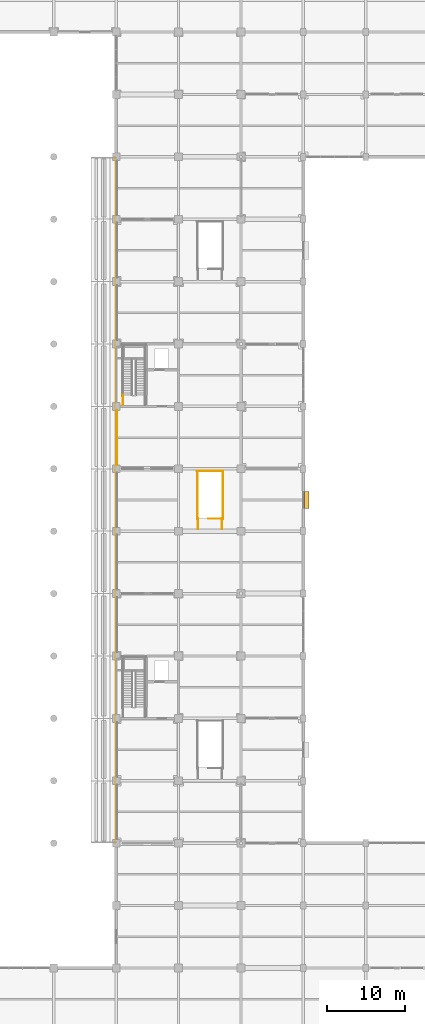
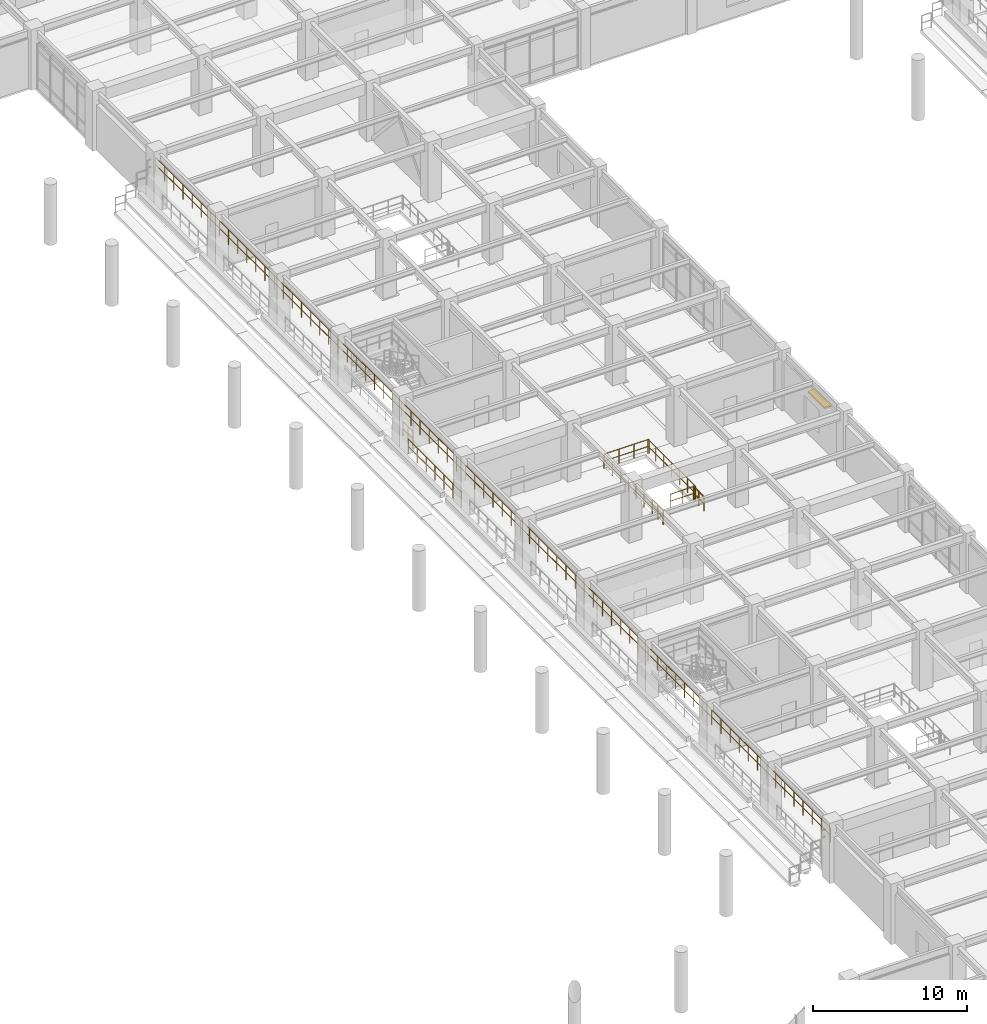
# One storey, part 109 of 117: 9 railings, 1 shading device.
"""IFC4 building model written with IfcOpenShell, lengths in metres."""

from ifc_helpers import new_model, si_unit, direction, frame, origin, origin_2d, place, context, subcontext, project, spatial, rectangle, circle, extrude, material, layer, layer_set, type_object, element, save


model = new_model("IFC4")

# Units and contexts
model_context = context("Model", 3, precision=1e-05, world=origin(), true_north=direction((0.0, 1.0)))
body_context = subcontext(model_context, "Body", "Model", "MODEL_VIEW")
ifc_project = project(units=[si_unit("LENGTHUNIT", "METRE"), si_unit("AREAUNIT", "SQUARE_METRE"), si_unit("VOLUMEUNIT", "CUBIC_METRE"), si_unit("PLANEANGLEUNIT", "RADIAN"), si_unit("MASSUNIT", "GRAM", prefix="KILO")], contexts=[model_context])

# Site, building, storey
site_placement = place(None, origin())
site = spatial("IfcSite", under=ifc_project, at=site_placement, CompositionType="ELEMENT")
building_placement = place(site_placement, origin())
building = spatial("IfcBuilding", under=site, at=building_placement, Name="Haebicheon Civic Stadium", CompositionType="ELEMENT")
storey_placement = place(building_placement, frame((0.0, 0.0, 4.800048828125)))
storey = spatial("IfcBuildingStorey", under=building, at=storey_placement, Name="L02", CompositionType="ELEMENT", Elevation=4.800048828125)

# Railings
ifc_material_1 = material(Name="Stainless steel 316 and laminated glass", Category="steel")
railing_type_1 = type_object("IfcRailingType", Name="RL-BAL-1200", PredefinedType="BALUSTRADE", material=ifc_material_1)
railing_1_placement = place(storey_placement, frame((144.139892578125, 96.5, 0.0)))
element("IfcRailing", 1, at=railing_1_placement, inside=storey, type_object=railing_type_1, material=ifc_material_1, Name="L02 concourse bowl-edge balustrade 029", PredefinedType="BALUSTRADE", context=body_context, shape_type="SweptSolid", body=[
    extrude(circle(Radius=0.02392578125, at=origin_2d()), frame((0.0, 0.0, 1.17578125), z_axis=(0.0, 1.0, 0.0), x_axis=(-1.0, 0.0, 0.0)), (0.0, 0.0, 1.0), 7.0),
    extrude(circle(Radius=0.02392578125, at=origin_2d()), frame((0.0, 0.0, 0.60009765625), z_axis=(0.0, 1.0, 0.0), x_axis=(-1.0, 0.0, 0.0)), (0.0, 0.0, 1.0), 7.0),
    extrude(circle(Radius=0.02099609375, at=origin_2d()), origin(), (0.0, 0.0, 1.0), 1.15185546875),
    extrude(circle(Radius=0.02099609375, at=origin_2d()), frame((0.0, 1.166748046875, 0.0)), (0.0, 0.0, 1.0), 1.15185546875),
    extrude(circle(Radius=0.02099609375, at=origin_2d()), frame((0.0, 2.333251953125, 0.0)), (0.0, 0.0, 1.0), 1.15185546875),
    extrude(circle(Radius=0.02099609375, at=origin_2d()), frame((0.0, 3.5, 0.0)), (0.0, 0.0, 1.0), 1.15185546875),
    extrude(circle(Radius=0.02099609375, at=origin_2d()), frame((0.0, 4.666748046875, 0.0)), (0.0, 0.0, 1.0), 1.15185546875),
    extrude(circle(Radius=0.02099609375, at=origin_2d()), frame((0.0, 5.833251953125, 0.0)), (0.0, 0.0, 1.0), 1.15185546875),
    extrude(circle(Radius=0.02099609375, at=origin_2d()), frame((0.0, 7.0, 0.0)), (0.0, 0.0, 1.0), 1.15185546875),
])
railing_2_placement = place(storey_placement, frame((143.8798828125, 48.06005859375, 2.800048828125)))
element("IfcRailing", 2, at=railing_2_placement, inside=storey, type_object=railing_type_1, material=ifc_material_1, Name="TIER-E-L upper gangway balustrade", PredefinedType="BALUSTRADE", context=body_context, shape_type="SweptSolid", body=[
    extrude(circle(Radius=0.02392578125, at=origin_2d()), frame((0.0, 0.0, 1.17578125), z_axis=(0.0, 1.0, 0.0), x_axis=(-1.0, 0.0, 0.0)), (0.0, 0.0, 1.0), 87.8798828125),
    extrude(circle(Radius=0.02392578125, at=origin_2d()), frame((0.0, 0.0, 0.60009765625), z_axis=(0.0, 1.0, 0.0), x_axis=(-1.0, 0.0, 0.0)), (0.0, 0.0, 1.0), 87.8798828125),
    extrude(circle(Radius=0.02099609375, at=origin_2d()), origin(), (0.0, 0.0, 1.0), 1.15185546875),
    extrude(circle(Radius=0.02099609375, at=origin_2d()), frame((0.0, 1.1875, 0.0)), (0.0, 0.0, 1.0), 1.15185546875),
    extrude(circle(Radius=0.02099609375, at=origin_2d()), frame((0.0, 2.375244140625, 0.0)), (0.0, 0.0, 1.0), 1.15185546875),
    extrude(circle(Radius=0.02099609375, at=origin_2d()), frame((0.0, 3.562744140625, 0.0)), (0.0, 0.0, 1.0), 1.15185546875),
    extrude(circle(Radius=0.02099609375, at=origin_2d()), frame((0.0, 4.750244140625, 0.0)), (0.0, 0.0, 1.0), 1.15185546875),
    extrude(circle(Radius=0.02099609375, at=origin_2d()), frame((0.0, 5.937744140625, 0.0)), (0.0, 0.0, 1.0), 1.15185546875),
    extrude(circle(Radius=0.02099609375, at=origin_2d()), frame((0.0, 7.12548828125, 0.0)), (0.0, 0.0, 1.0), 1.15185546875),
    extrude(circle(Radius=0.02099609375, at=origin_2d()), frame((0.0, 8.31298828125, 0.0)), (0.0, 0.0, 1.0), 1.15185546875),
    extrude(circle(Radius=0.02099609375, at=origin_2d()), frame((0.0, 9.50048828125, 0.0)), (0.0, 0.0, 1.0), 1.15185546875),
    extrude(circle(Radius=0.02099609375, at=origin_2d()), frame((0.0, 10.68798828125, 0.0)), (0.0, 0.0, 1.0), 1.15185546875),
    extrude(circle(Radius=0.02099609375, at=origin_2d()), frame((0.0, 11.875732421875, 0.0)), (0.0, 0.0, 1.0), 1.15185546875),
    extrude(circle(Radius=0.02099609375, at=origin_2d()), frame((0.0, 13.063232421875, 0.0)), (0.0, 0.0, 1.0), 1.15185546875),
    extrude(circle(Radius=0.02099609375, at=origin_2d()), frame((0.0, 14.250732421875, 0.0)), (0.0, 0.0, 1.0), 1.15185546875),
    extrude(circle(Radius=0.02099609375, at=origin_2d()), frame((0.0, 15.4384765625, 0.0)), (0.0, 0.0, 1.0), 1.15185546875),
    extrude(circle(Radius=0.02099609375, at=origin_2d()), frame((0.0, 16.6259765625, 0.0)), (0.0, 0.0, 1.0), 1.15185546875),
    extrude(circle(Radius=0.02099609375, at=origin_2d()), frame((0.0, 17.8134765625, 0.0)), (0.0, 0.0, 1.0), 1.15185546875),
    extrude(circle(Radius=0.02099609375, at=origin_2d()), frame((0.0, 19.0009765625, 0.0)), (0.0, 0.0, 1.0), 1.15185546875),
    extrude(circle(Radius=0.02099609375, at=origin_2d()), frame((0.0, 20.188720703125, 0.0)), (0.0, 0.0, 1.0), 1.15185546875),
    extrude(circle(Radius=0.02099609375, at=origin_2d()), frame((0.0, 21.376220703125, 0.0)), (0.0, 0.0, 1.0), 1.15185546875),
    extrude(circle(Radius=0.02099609375, at=origin_2d()), frame((0.0, 22.563720703125, 0.0)), (0.0, 0.0, 1.0), 1.15185546875),
    extrude(circle(Radius=0.02099609375, at=origin_2d()), frame((0.0, 23.751220703125, 0.0)), (0.0, 0.0, 1.0), 1.15185546875),
    extrude(circle(Radius=0.02099609375, at=origin_2d()), frame((0.0, 24.93896484375, 0.0)), (0.0, 0.0, 1.0), 1.15185546875),
    extrude(circle(Radius=0.02099609375, at=origin_2d()), frame((0.0, 26.12646484375, 0.0)), (0.0, 0.0, 1.0), 1.15185546875),
    extrude(circle(Radius=0.02099609375, at=origin_2d()), frame((0.0, 27.31396484375, 0.0)), (0.0, 0.0, 1.0), 1.15185546875),
    extrude(circle(Radius=0.02099609375, at=origin_2d()), frame((0.0, 28.50146484375, 0.0)), (0.0, 0.0, 1.0), 1.15185546875),
    extrude(circle(Radius=0.02099609375, at=origin_2d()), frame((0.0, 29.689208984375, 0.0)), (0.0, 0.0, 1.0), 1.15185546875),
    extrude(circle(Radius=0.02099609375, at=origin_2d()), frame((0.0, 30.876708984375, 0.0)), (0.0, 0.0, 1.0), 1.15185546875),
    extrude(circle(Radius=0.02099609375, at=origin_2d()), frame((0.0, 32.064208984375, 0.0)), (0.0, 0.0, 1.0), 1.15185546875),
    extrude(circle(Radius=0.02099609375, at=origin_2d()), frame((0.0, 33.251953125, 0.0)), (0.0, 0.0, 1.0), 1.15185546875),
    extrude(circle(Radius=0.02099609375, at=origin_2d()), frame((0.0, 34.439453125, 0.0)), (0.0, 0.0, 1.0), 1.15185546875),
    extrude(circle(Radius=0.02099609375, at=origin_2d()), frame((0.0, 35.626953125, 0.0)), (0.0, 0.0, 1.0), 1.15185546875),
    extrude(circle(Radius=0.02099609375, at=origin_2d()), frame((0.0, 36.814453125, 0.0)), (0.0, 0.0, 1.0), 1.15185546875),
    extrude(circle(Radius=0.02099609375, at=origin_2d()), frame((0.0, 38.002197265625, 0.0)), (0.0, 0.0, 1.0), 1.15185546875),
    extrude(circle(Radius=0.02099609375, at=origin_2d()), frame((0.0, 39.189697265625, 0.0)), (0.0, 0.0, 1.0), 1.15185546875),
    extrude(circle(Radius=0.02099609375, at=origin_2d()), frame((0.0, 40.377197265625, 0.0)), (0.0, 0.0, 1.0), 1.15185546875),
    extrude(circle(Radius=0.02099609375, at=origin_2d()), frame((0.0, 41.564697265625, 0.0)), (0.0, 0.0, 1.0), 1.15185546875),
    extrude(circle(Radius=0.02099609375, at=origin_2d()), frame((0.0, 42.75244140625, 0.0)), (0.0, 0.0, 1.0), 1.15185546875),
    extrude(circle(Radius=0.02099609375, at=origin_2d()), frame((0.0, 43.93994140625, 0.0)), (0.0, 0.0, 1.0), 1.15185546875),
    extrude(circle(Radius=0.02099609375, at=origin_2d()), frame((0.0, 45.12744140625, 0.0)), (0.0, 0.0, 1.0), 1.15185546875),
    extrude(circle(Radius=0.02099609375, at=origin_2d()), frame((0.0, 46.315185546875, 0.0)), (0.0, 0.0, 1.0), 1.15185546875),
    extrude(circle(Radius=0.02099609375, at=origin_2d()), frame((0.0, 47.502685546875, 0.0)), (0.0, 0.0, 1.0), 1.15185546875),
    extrude(circle(Radius=0.02099609375, at=origin_2d()), frame((0.0, 48.690185546875, 0.0)), (0.0, 0.0, 1.0), 1.15185546875),
    extrude(circle(Radius=0.02099609375, at=origin_2d()), frame((0.0, 49.877685546875, 0.0)), (0.0, 0.0, 1.0), 1.15185546875),
    extrude(circle(Radius=0.02099609375, at=origin_2d()), frame((0.0, 51.0654296875, 0.0)), (0.0, 0.0, 1.0), 1.15185546875),
    extrude(circle(Radius=0.02099609375, at=origin_2d()), frame((0.0, 52.2529296875, 0.0)), (0.0, 0.0, 1.0), 1.15185546875),
    extrude(circle(Radius=0.02099609375, at=origin_2d()), frame((0.0, 53.4404296875, 0.0)), (0.0, 0.0, 1.0), 1.15185546875),
    extrude(circle(Radius=0.02099609375, at=origin_2d()), frame((0.0, 54.6279296875, 0.0)), (0.0, 0.0, 1.0), 1.15185546875),
    extrude(circle(Radius=0.02099609375, at=origin_2d()), frame((0.0, 55.815673828125, 0.0)), (0.0, 0.0, 1.0), 1.15185546875),
    extrude(circle(Radius=0.02099609375, at=origin_2d()), frame((0.0, 57.003173828125, 0.0)), (0.0, 0.0, 1.0), 1.15185546875),
    extrude(circle(Radius=0.02099609375, at=origin_2d()), frame((0.0, 58.190673828125, 0.0)), (0.0, 0.0, 1.0), 1.15185546875),
    extrude(circle(Radius=0.02099609375, at=origin_2d()), frame((0.0, 59.37841796875, 0.0)), (0.0, 0.0, 1.0), 1.15185546875),
    extrude(circle(Radius=0.02099609375, at=origin_2d()), frame((0.0, 60.56591796875, 0.0)), (0.0, 0.0, 1.0), 1.15185546875),
    extrude(circle(Radius=0.02099609375, at=origin_2d()), frame((0.0, 61.75341796875, 0.0)), (0.0, 0.0, 1.0), 1.15185546875),
    extrude(circle(Radius=0.02099609375, at=origin_2d()), frame((0.0, 62.94091796875, 0.0)), (0.0, 0.0, 1.0), 1.15185546875),
    extrude(circle(Radius=0.02099609375, at=origin_2d()), frame((0.0, 64.128662109375, 0.0)), (0.0, 0.0, 1.0), 1.15185546875),
    extrude(circle(Radius=0.02099609375, at=origin_2d()), frame((0.0, 65.316162109375, 0.0)), (0.0, 0.0, 1.0), 1.15185546875),
    extrude(circle(Radius=0.02099609375, at=origin_2d()), frame((0.0, 66.503662109375, 0.0)), (0.0, 0.0, 1.0), 1.15185546875),
    extrude(circle(Radius=0.02099609375, at=origin_2d()), frame((0.0, 67.691162109375, 0.0)), (0.0, 0.0, 1.0), 1.15185546875),
    extrude(circle(Radius=0.02099609375, at=origin_2d()), frame((0.0, 68.87890625, 0.0)), (0.0, 0.0, 1.0), 1.15185546875),
    extrude(circle(Radius=0.02099609375, at=origin_2d()), frame((0.0, 70.06640625, 0.0)), (0.0, 0.0, 1.0), 1.15185546875),
    extrude(circle(Radius=0.02099609375, at=origin_2d()), frame((0.0, 71.25390625, 0.0)), (0.0, 0.0, 1.0), 1.15185546875),
    extrude(circle(Radius=0.02099609375, at=origin_2d()), frame((0.0, 72.44140625, 0.0)), (0.0, 0.0, 1.0), 1.15185546875),
    extrude(circle(Radius=0.02099609375, at=origin_2d()), frame((0.0, 73.629150390625, 0.0)), (0.0, 0.0, 1.0), 1.15185546875),
    extrude(circle(Radius=0.02099609375, at=origin_2d()), frame((0.0, 74.816650390625, 0.0)), (0.0, 0.0, 1.0), 1.15185546875),
    extrude(circle(Radius=0.02099609375, at=origin_2d()), frame((0.0, 76.004150390625, 0.0)), (0.0, 0.0, 1.0), 1.15185546875),
    extrude(circle(Radius=0.02099609375, at=origin_2d()), frame((0.0, 77.19189453125, 0.0)), (0.0, 0.0, 1.0), 1.15185546875),
    extrude(circle(Radius=0.02099609375, at=origin_2d()), frame((0.0, 78.37939453125, 0.0)), (0.0, 0.0, 1.0), 1.15185546875),
    extrude(circle(Radius=0.02099609375, at=origin_2d()), frame((0.0, 79.56689453125, 0.0)), (0.0, 0.0, 1.0), 1.15185546875),
    extrude(circle(Radius=0.02099609375, at=origin_2d()), frame((0.0, 80.75439453125, 0.0)), (0.0, 0.0, 1.0), 1.15185546875),
    extrude(circle(Radius=0.02099609375, at=origin_2d()), frame((0.0, 81.942138671875, 0.0)), (0.0, 0.0, 1.0), 1.15185546875),
    extrude(circle(Radius=0.02099609375, at=origin_2d()), frame((0.0, 83.129638671875, 0.0)), (0.0, 0.0, 1.0), 1.15185546875),
    extrude(circle(Radius=0.02099609375, at=origin_2d()), frame((0.0, 84.317138671875, 0.0)), (0.0, 0.0, 1.0), 1.15185546875),
    extrude(circle(Radius=0.02099609375, at=origin_2d()), frame((0.0, 85.504638671875, 0.0)), (0.0, 0.0, 1.0), 1.15185546875),
    extrude(circle(Radius=0.02099609375, at=origin_2d()), frame((0.0, 86.6923828125, 0.0)), (0.0, 0.0, 1.0), 1.15185546875),
    extrude(circle(Radius=0.02099609375, at=origin_2d()), frame((0.0, 87.8798828125, 0.0)), (0.0, 0.0, 1.0), 1.15185546875),
])
ifc_material_2 = material(Name="Galvanised painted steel SM355", Category="steel")
railing_type_2 = type_object("IfcRailingType", Name="RL-GRD-1150", PredefinedType="GUARDRAIL", material=ifc_material_2)
railing_3_placement = place(storey_placement, frame((144.889892578125, 104.159912109375, 0.0)))
element("IfcRailing", 3, at=railing_3_placement, inside=storey, type_object=railing_type_2, material=ifc_material_2, Name="L02 ST-11 stair guard 9", PredefinedType="GUARDRAIL", context=body_context, shape_type="SweptSolid", body=[
    extrude(circle(Radius=0.02392578125, at=origin_2d()), frame((0.0, 0.0, 1.1259765625), z_axis=(0.0, 1.0, 0.0), x_axis=(-1.0, 0.0, 0.0)), (0.0, 0.0, 1.0), 1.2900390625),
    extrude(circle(Radius=0.02392578125, at=origin_2d()), frame((0.0, 0.0, 0.574951171875), z_axis=(0.0, 1.0, 0.0), x_axis=(-1.0, 0.0, 0.0)), (0.0, 0.0, 1.0), 1.2900390625),
    extrude(circle(Radius=0.02099609375, at=origin_2d()), origin(), (0.0, 0.0, 1.0), 1.101806640625),
    extrude(circle(Radius=0.02099609375, at=origin_2d()), frame((0.0, 0.64501953125, 0.0)), (0.0, 0.0, 1.0), 1.101806640625),
    extrude(circle(Radius=0.02099609375, at=origin_2d()), frame((0.0, 1.2900390625, 0.0)), (0.0, 0.0, 1.0), 1.101806640625),
])
railing_4_placement = place(storey_placement, frame((157.639892578125, 89.60009765625, 0.0)))
element("IfcRailing", 4, at=railing_4_placement, inside=storey, type_object=railing_type_2, material=ifc_material_2, Name="L02 VM-07 top well guard 1", PredefinedType="GUARDRAIL", context=body_context, shape_type="SweptSolid", body=[
    extrude(circle(Radius=0.02392578125, at=origin_2d()), frame((0.0, 0.0, 1.1259765625), z_axis=(-1.0, 0.0, 0.0), x_axis=(0.0, -1.0, 0.0)), (0.0, 0.0, 1.0), 1.81982421875),
    extrude(circle(Radius=0.02392578125, at=origin_2d()), frame((0.0, 0.0, 0.574951171875), z_axis=(-1.0, 0.0, 0.0), x_axis=(0.0, -1.0, 0.0)), (0.0, 0.0, 1.0), 1.81982421875),
    extrude(circle(Radius=0.02099609375, at=origin_2d()), origin(), (0.0, 0.0, 1.0), 1.101806640625),
    extrude(circle(Radius=0.02099609375, at=origin_2d()), frame((-0.909912109375, 0.0, 0.0)), (0.0, 0.0, 1.0), 1.101806640625),
    extrude(circle(Radius=0.02099609375, at=origin_2d()), frame((-1.81982421875, 0.0, 0.0)), (0.0, 0.0, 1.0), 1.101806640625),
])
for number, where, name in (
    (5, (157.68994140625, 89.550048828125, 0.0), "L02 VM-07 top well guard 2"),
    (6, (154.409912109375, 89.550048828125, 0.0), "L02 VM-07 top well guard 3"),
):
    element("IfcRailing", number, at=place(storey_placement, frame(where)), inside=storey, type_object=railing_type_2, material=ifc_material_2, Name=name, PredefinedType="GUARDRAIL", context=body_context, shape_type="SweptSolid", body=[
        extrude(circle(Radius=0.02392578125, at=origin_2d()), frame((0.0, 0.0, 1.1259765625), z_axis=(0.0, 1.0, 0.0), x_axis=(-1.0, 0.0, 0.0)), (0.0, 0.0, 1.0), 6.199951171875),
        extrude(circle(Radius=0.02392578125, at=origin_2d()), frame((0.0, 0.0, 0.574951171875), z_axis=(0.0, 1.0, 0.0), x_axis=(-1.0, 0.0, 0.0)), (0.0, 0.0, 1.0), 6.199951171875),
        extrude(circle(Radius=0.02099609375, at=origin_2d()), origin(), (0.0, 0.0, 1.0), 1.101806640625),
        extrude(circle(Radius=0.02099609375, at=origin_2d()), frame((0.0, 1.033203125, 0.0)), (0.0, 0.0, 1.0), 1.101806640625),
        extrude(circle(Radius=0.02099609375, at=origin_2d()), frame((0.0, 2.066650390625, 0.0)), (0.0, 0.0, 1.0), 1.101806640625),
        extrude(circle(Radius=0.02099609375, at=origin_2d()), frame((0.0, 3.10009765625, 0.0)), (0.0, 0.0, 1.0), 1.101806640625),
        extrude(circle(Radius=0.02099609375, at=origin_2d()), frame((0.0, 4.13330078125, 0.0)), (0.0, 0.0, 1.0), 1.101806640625),
        extrude(circle(Radius=0.02099609375, at=origin_2d()), frame((0.0, 5.16650390625, 0.0)), (0.0, 0.0, 1.0), 1.101806640625),
        extrude(circle(Radius=0.02099609375, at=origin_2d()), frame((0.0, 6.199951171875, 0.0)), (0.0, 0.0, 1.0), 1.101806640625),
    ])
railing_5_placement = place(storey_placement, frame((157.739990234375, 95.699951171875, 0.0)))
element("IfcRailing", 7, at=railing_5_placement, inside=storey, type_object=railing_type_2, material=ifc_material_2, Name="L02 VM-07 top well guard 4", PredefinedType="GUARDRAIL", context=body_context, shape_type="SweptSolid", body=[
    extrude(circle(Radius=0.02392578125, at=origin_2d()), frame((0.0, 0.0, 1.1259765625), z_axis=(-1.0, 0.0, 0.0), x_axis=(0.0, -1.0, 0.0)), (0.0, 0.0, 1.0), 3.3798828125),
    extrude(circle(Radius=0.02392578125, at=origin_2d()), frame((0.0, 0.0, 0.574951171875), z_axis=(-1.0, 0.0, 0.0), x_axis=(0.0, -1.0, 0.0)), (0.0, 0.0, 1.0), 3.3798828125),
    extrude(circle(Radius=0.02099609375, at=origin_2d()), origin(), (0.0, 0.0, 1.0), 1.101806640625),
    extrude(circle(Radius=0.02099609375, at=origin_2d()), frame((-1.126708984375, 0.0, 0.0)), (0.0, 0.0, 1.0), 1.101806640625),
    extrude(circle(Radius=0.02099609375, at=origin_2d()), frame((-2.253173828125, 0.0, 0.0)), (0.0, 0.0, 1.0), 1.101806640625),
    extrude(circle(Radius=0.02099609375, at=origin_2d()), frame((-3.3798828125, 0.0, 0.0)), (0.0, 0.0, 1.0), 1.101806640625),
])
for number, where, name in (
    (8, (157.590087890625, 88.25, 0.0), "L02 VM-07 top well guard 5"),
    (9, (154.510009765625, 88.25, 0.0), "L02 VM-07 top well guard 6"),
):
    element("IfcRailing", number, at=place(storey_placement, frame(where)), inside=storey, type_object=railing_type_2, material=ifc_material_2, Name=name, PredefinedType="GUARDRAIL", context=body_context, shape_type="SweptSolid", body=[
        extrude(circle(Radius=0.02392578125, at=origin_2d()), frame((0.0, 0.0, 1.1259765625), z_axis=(0.0, 1.0, 0.0), x_axis=(-1.0, 0.0, 0.0)), (0.0, 0.0, 1.0), 1.39990234375),
        extrude(circle(Radius=0.02392578125, at=origin_2d()), frame((0.0, 0.0, 0.574951171875), z_axis=(0.0, 1.0, 0.0), x_axis=(-1.0, 0.0, 0.0)), (0.0, 0.0, 1.0), 1.39990234375),
        extrude(circle(Radius=0.02099609375, at=origin_2d()), origin(), (0.0, 0.0, 1.0), 1.101806640625),
        extrude(circle(Radius=0.02099609375, at=origin_2d()), frame((0.0, 0.699951171875, 0.0)), (0.0, 0.0, 1.0), 1.101806640625),
        extrude(circle(Radius=0.02099609375, at=origin_2d()), frame((0.0, 1.39990234375, 0.0)), (0.0, 0.0, 1.0), 1.101806640625),
    ])

# Shading device
ifc_material_3 = material(Name="Anodised aluminium 6063-T6", Category="aluminium")
ifc_layer = layer(ifc_material_3, 0.1201171875, Name="Anodised aluminium 6063-T6")
ifc_layer_set = layer_set([ifc_layer], Name="Anodised aluminium 6063-T6")
shading_device_type = type_object("IfcShadingDeviceType", Name="SHD-ALU-LVR", PredefinedType="USERDEFINED", material=ifc_layer_set)
shading_device_placement = place(storey_placement, frame((168.445068359375, 92.0, 2.769775390625), z_axis=(0.0, 0.0, 1.0), x_axis=(1.0, 0.0, 0.0)))
element("IfcShadingDevice", 10, at=shading_device_placement, inside=storey, type_object=shading_device_type, material=ifc_layer_set, Name="L02 window sunshade louvre hood 19", ObjectType="LOUVRE", PredefinedType="USERDEFINED", context=body_context, shape_type="SweptSolid", body=[
    extrude(rectangle(XDim=0.550048828125, YDim=2.14990234375, at=origin_2d()), origin(), (0.0, 0.0, 1.0), 0.1201171875),
])

save(model, "model.ifc")
